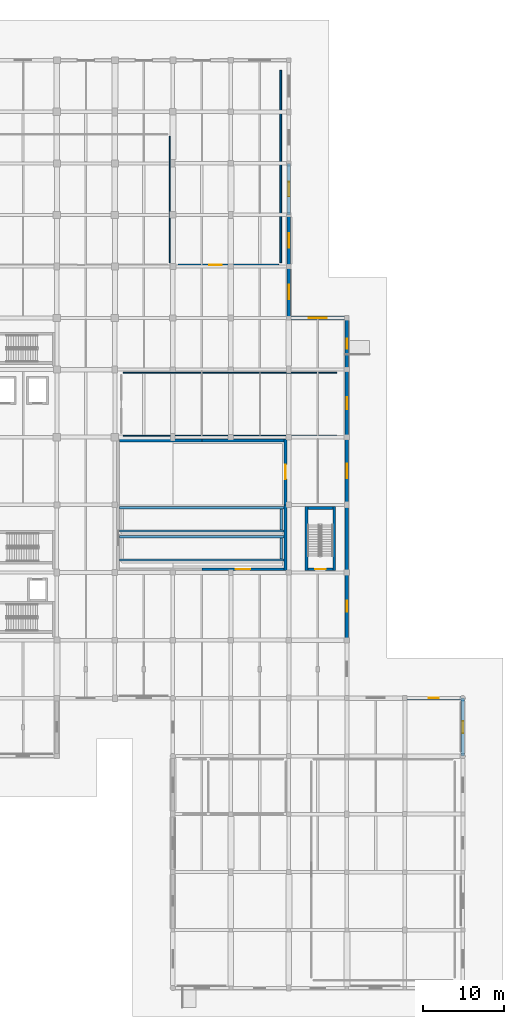
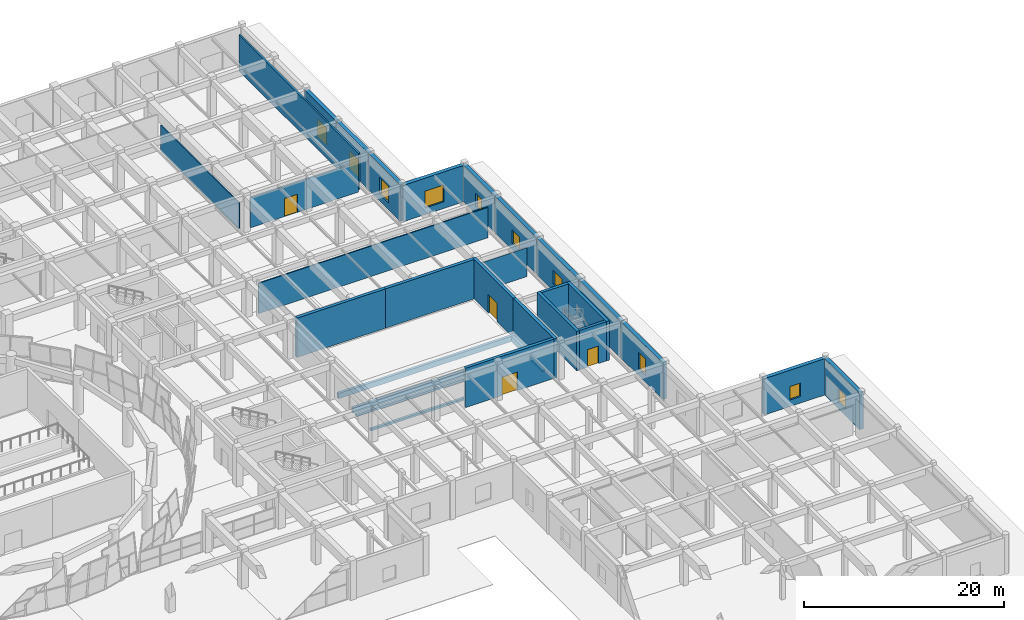
# One storey, part 53 of 72: 31 walls, 8 windows, 6 doors, 14 openings.
"""IFC4 building model written with IfcOpenShell, lengths in metres."""

from ifc_helpers import new_model, si_unit, direction, frame, frame_2d, origin, place, context, subcontext, project, spatial, rectangle, extrude, material, layer, layer_set, type_object, element, fill, save


model = new_model("IFC4")

# Units and contexts
model_context = context("Model", 3, precision=1e-05, world=origin(), true_north=direction((0.0, 1.0)))
body_context = subcontext(model_context, "Body", "Model", "MODEL_VIEW")
ifc_project = project(units=[si_unit("LENGTHUNIT", "METRE"), si_unit("AREAUNIT", "SQUARE_METRE"), si_unit("VOLUMEUNIT", "CUBIC_METRE"), si_unit("PLANEANGLEUNIT", "RADIAN"), si_unit("MASSUNIT", "GRAM", prefix="KILO")], contexts=[model_context])

# Site, building, storey
site_placement = place(None, origin())
site = spatial("IfcSite", under=ifc_project, at=site_placement, CompositionType="ELEMENT")
building_placement = place(site_placement, origin())
building = spatial("IfcBuilding", under=site, at=building_placement, Name="Korsvaeld Concert Hall", CompositionType="ELEMENT")
storey_placement = place(building_placement, origin())
storey = spatial("IfcBuildingStorey", under=building, at=storey_placement, Name="L00", CompositionType="ELEMENT", Elevation=0.0)

# Wall, opening, door
ifc_material_1 = material(Name="Concrete C40/50", Category="concrete")
ifc_layer_1 = layer(ifc_material_1, 0.340087890625)
ifc_layer_set_1 = layer_set([ifc_layer_1], Name="Concrete C40/50")
wall_type_1 = type_object("IfcWallType", Name="WL-CORE-340", PredefinedType="SHEAR", material=ifc_layer_set_1)
wall_1_placement = place(storey_placement, frame((148.77001953125, 52.0, 0.0), z_axis=(0.0, 0.0, 1.0), x_axis=(1.0, 0.0, 0.0)))
wall_1 = element("IfcWall", 1, at=wall_1_placement, inside=storey, type_object=wall_type_1, Name="Core V2S shear wall L00 S", PredefinedType="SHEAR", context=body_context, shape_type="SweptSolid", body=[
    extrude(rectangle(XDim=3.10009765625, YDim=0.340087890625, at=frame_2d((1.550048828125, 0.0))), origin(), (0.0, 0.0, 1.0), 4.800048828125),
])
opening_1_placement = place(wall_1_placement, frame((0.89990234375, 0.0, 0.0)))
opening_1 = element("IfcOpeningElement", 2, at=opening_1_placement, cuts=wall_1, Name="Opening FD-01", PredefinedType="OPENING", context=body_context, shape_type="SweptSolid", body=[
    extrude(rectangle(XDim=1.300048828125, YDim=2.14990234375, at=frame_2d((0.64990234375, 1.074951171875))), frame((0.0, 0.18017578125, 0.0), z_axis=(0.0, -1.0, 0.0), x_axis=(1.0, 0.0, 0.0)), (0.0, 0.0, 1.0), 0.360107421875),
])
ifc_material_2 = material(Name="Acoustic steel and oak fire door", Category="steel")
door_type_1 = type_object("IfcDoorType", Name="DR-FD-STAIR-130x215", OperationType="NOTDEFINED", PredefinedType="DOOR", material=ifc_material_2)
door_1_placement = place(opening_1_placement, frame((1.300048828125, 0.0, 0.0), z_axis=(0.0, 0.0, 1.0), x_axis=(-1.0, 0.0, 0.0)))
door_1 = element("IfcDoor", 3, at=door_1_placement, inside=storey, type_object=door_type_1, Name="Escape stair ST-F4 fire door L00", OperationType="SINGLE_SWING_RIGHT", OverallHeight=2.14990234375, OverallWidth=1.300048828125, PredefinedType="DOOR", context=body_context, shape_type="SweptSolid", body=[
    extrude(rectangle(XDim=1.300048828125, YDim=2.14990234375, at=frame_2d((0.64990234375, 1.074951171875))), frame((0.0, 0.02490234375, 0.0), z_axis=(0.0, -1.0, 0.0), x_axis=(1.0, 0.0, 0.0)), (0.0, 0.0, 1.0), 0.050048828125),
])
fill(opening_1, door_1)

# Walls
wall_2_placement = place(storey_placement, frame((152.0400390625, 51.830078125, 0.0), z_axis=(0.0, 0.0, 1.0), x_axis=(0.0, 1.0, 0.0)))
element("IfcWall", 4, at=wall_2_placement, inside=storey, type_object=wall_type_1, Name="Core V2S shear wall L00 E", PredefinedType="SHEAR", context=body_context, shape_type="SweptSolid", body=[
    extrude(rectangle(XDim=7.93994140625, YDim=0.340087890625, at=frame_2d((3.969970703125, 0.0))), origin(), (0.0, 0.0, 1.0), 4.800048828125),
])
wall_3_placement = place(storey_placement, frame((151.8701171875, 59.60009765625, 0.0), z_axis=(0.0, 0.0, 1.0), x_axis=(-1.0, 0.0, 0.0)))
element("IfcWall", 5, at=wall_3_placement, inside=storey, type_object=wall_type_1, Name="Core V2S shear wall L00 N", PredefinedType="SHEAR", context=body_context, shape_type="SweptSolid", body=[
    extrude(rectangle(XDim=3.10009765625, YDim=0.340087890625, at=frame_2d((1.550048828125, 0.0))), origin(), (0.0, 0.0, 1.0), 4.800048828125),
])
wall_4_placement = place(storey_placement, frame((148.60009765625, 59.77001953125, 0.0), z_axis=(0.0, 0.0, 1.0), x_axis=(0.0, -1.0, 0.0)))
element("IfcWall", 6, at=wall_4_placement, inside=storey, type_object=wall_type_1, Name="Core V2S shear wall L00 W", PredefinedType="SHEAR", context=body_context, shape_type="SweptSolid", body=[
    extrude(rectangle(XDim=7.93994140625, YDim=0.340087890625, at=frame_2d((3.969970703125, 0.0))), origin(), (0.0, 0.0, 1.0), 4.800048828125),
])

# Wall, opening, door
ifc_material_3 = material(Name="Coastal dark grey granite plinth on Concrete C35/45", Category="masonry")
ifc_layer_2 = layer(ifc_material_3, 0.43994140625)
ifc_layer_set_2 = layer_set([ifc_layer_2], Name="Coastal dark grey granite plinth on Concrete C35/45")
wall_type_2 = type_object("IfcWallType", Name="WL-EXT-GRAN-440", PredefinedType="STANDARD", material=ifc_layer_set_2)
wall_5_placement = place(storey_placement, frame((146.39990234375, 102.39990234375, 0.0), z_axis=(0.0, 0.0, 1.0), x_axis=(0.0, -1.0, 0.0)))
wall_5 = element("IfcWall", 7, at=wall_5_placement, inside=storey, type_object=wall_type_2, Name="Exterior sandstone wall L00-087", PredefinedType="STANDARD", context=body_context, shape_type="SweptSolid", body=[
    extrude(rectangle(XDim=6.39990234375, YDim=0.43994140625, at=frame_2d((3.199951171875, 0.0))), origin(), (0.0, 0.0, 1.0), 4.43994140625),
])
opening_2_placement = place(wall_5_placement, frame((2.300048828125, 0.0, 0.0)))
opening_2 = element("IfcOpeningElement", 8, at=opening_2_placement, cuts=wall_5, Name="Opening GT-02", PredefinedType="OPENING", context=body_context, shape_type="SweptSolid", body=[
    extrude(rectangle(XDim=1.800048828125, YDim=2.199951171875, at=frame_2d((0.89990234375, 1.10009765625))), frame((0.0, 0.22998046875, 0.0), z_axis=(0.0, -1.0, 0.0), x_axis=(1.0, 0.0, 0.0)), (0.0, 0.0, 1.0), 0.4599609375),
])
ifc_material_4 = material(Name="Anodised bronze cycle hub gate")
door_type_2 = type_object("IfcDoorType", Name="DR-GATE-180x220", OperationType="DOUBLE_DOOR_SINGLE_SWING", PredefinedType="GATE", material=ifc_material_4)
door_2_placement = place(opening_2_placement, frame((1.800048828125, 0.0, 0.0), z_axis=(0.0, 0.0, 1.0), x_axis=(-1.0, 0.0, 0.0)))
door_2 = element("IfcDoor", 9, at=door_2_placement, inside=storey, type_object=door_type_2, Name="Cycle hub and service court gate GT-05", OperationType="DOUBLE_DOOR_SINGLE_SWING", OverallHeight=2.199951171875, OverallWidth=1.800048828125, PredefinedType="GATE", context=body_context, shape_type="SweptSolid", body=[
    extrude(rectangle(XDim=1.800048828125, YDim=2.199951171875, at=frame_2d((0.89990234375, 1.10009765625))), frame((0.0, 0.02490234375, 0.0), z_axis=(0.0, -1.0, 0.0), x_axis=(1.0, 0.0, 0.0)), (0.0, 0.0, 1.0), 0.050048828125),
])
fill(opening_2, door_2)

wall_6_placement = place(storey_placement, frame((146.39990234375, 96.0, 0.0), z_axis=(0.0, 0.0, 1.0), x_axis=(0.0, -1.0, 0.0)))
wall_6 = element("IfcWall", 10, at=wall_6_placement, inside=storey, type_object=wall_type_2, Name="Exterior sandstone wall L00-088", PredefinedType="STANDARD", context=body_context, shape_type="SweptSolid", body=[
    extrude(rectangle(XDim=6.39990234375, YDim=0.43994140625, at=frame_2d((3.199951171875, 0.0))), origin(), (0.0, 0.0, 1.0), 4.43994140625),
])
opening_3_placement = place(wall_6_placement, frame((2.300048828125, 0.0, 0.0)))
opening_3 = element("IfcOpeningElement", 11, at=opening_3_placement, cuts=wall_6, Name="Opening GT-02", PredefinedType="OPENING", context=body_context, shape_type="SweptSolid", body=[
    extrude(rectangle(XDim=1.800048828125, YDim=2.199951171875, at=frame_2d((0.89990234375, 1.10009765625))), frame((0.0, 0.22998046875, 0.0), z_axis=(0.0, -1.0, 0.0), x_axis=(1.0, 0.0, 0.0)), (0.0, 0.0, 1.0), 0.4599609375),
])
door_3_placement = place(opening_3_placement, frame((1.800048828125, 0.0, 0.0), z_axis=(0.0, 0.0, 1.0), x_axis=(-1.0, 0.0, 0.0)))
door_3 = element("IfcDoor", 12, at=door_3_placement, inside=storey, type_object=door_type_2, Name="Cycle hub and service court gate GT-06", OperationType="DOUBLE_DOOR_SINGLE_SWING", OverallHeight=2.199951171875, OverallWidth=1.800048828125, PredefinedType="GATE", context=body_context, shape_type="SweptSolid", body=[
    extrude(rectangle(XDim=1.800048828125, YDim=2.199951171875, at=frame_2d((0.89990234375, 1.10009765625))), frame((0.0, 0.02490234375, 0.0), z_axis=(0.0, -1.0, 0.0), x_axis=(1.0, 0.0, 0.0)), (0.0, 0.0, 1.0), 0.050048828125),
])
fill(opening_3, door_3)

# Wall, opening, window
wall_7_placement = place(storey_placement, frame((146.39990234375, 89.60009765625, 0.0), z_axis=(0.0, 0.0, 1.0), x_axis=(0.0, -1.0, 0.0)))
wall_7 = element("IfcWall", 13, at=wall_7_placement, inside=storey, type_object=wall_type_2, Name="Exterior sandstone wall L00-089", PredefinedType="STANDARD", context=body_context, shape_type="SweptSolid", body=[
    extrude(rectangle(XDim=6.400146484375, YDim=0.43994140625, at=frame_2d((3.2001953125, 0.0))), origin(), (0.0, 0.0, 1.0), 4.43994140625),
])
opening_4_placement = place(wall_7_placement, frame((2.300048828125, 0.0, 0.800048828125)))
opening_4 = element("IfcOpeningElement", 14, at=opening_4_placement, cuts=wall_7, Name="Opening WN-12", PredefinedType="OPENING", context=body_context, shape_type="SweptSolid", body=[
    extrude(rectangle(XDim=1.800048828125, YDim=2.050048828125, at=frame_2d((0.89990234375, 1.02490234375))), frame((0.0, 0.22998046875, 0.0), z_axis=(0.0, -1.0, 0.0), x_axis=(1.0, 0.0, 0.0)), (0.0, 0.0, 1.0), 0.4599609375),
])
ifc_material_5 = material(Name="Anodised bronze frame with acoustic triple glazing", Category="glass")
window_type_1 = type_object("IfcWindowType", Name="WIN-AC-180x205", PartitioningType="SINGLE_PANEL", PredefinedType="WINDOW", material=ifc_material_5)
window_1_placement = place(opening_4_placement, origin())
window_1 = element("IfcWindow", 15, at=window_1_placement, inside=storey, type_object=window_type_1, Name="Acoustic triple-glazed window L00-001", OverallHeight=2.050048828125, OverallWidth=1.800048828125, PartitioningType="SINGLE_PANEL", PredefinedType="WINDOW", context=body_context, shape_type="SweptSolid", body=[
    extrude(rectangle(XDim=1.800048828125, YDim=2.050048828125, at=frame_2d((0.89990234375, 1.02490234375))), frame((0.0, 0.030029296875, 0.0), z_axis=(0.0, -1.0, 0.0), x_axis=(1.0, 0.0, 0.0)), (0.0, 0.0, 1.0), 0.06005859375),
])
fill(opening_4, window_1)

wall_8_placement = place(storey_placement, frame((146.39990234375, 83.199951171875, 0.0), z_axis=(0.0, 0.0, 1.0), x_axis=(1.0, 0.0, 0.0)))
wall_8 = element("IfcWall", 16, at=wall_8_placement, inside=storey, type_object=wall_type_2, Name="Exterior sandstone wall L00-090", PredefinedType="STANDARD", context=body_context, shape_type="SweptSolid", body=[
    extrude(rectangle(XDim=7.2001953125, YDim=0.43994140625, at=frame_2d((3.60009765625, 0.0))), origin(), (0.0, 0.0, 1.0), 4.43994140625),
])
opening_5_placement = place(wall_8_placement, frame((2.5, 0.0, 0.800048828125)))
opening_5 = element("IfcOpeningElement", 17, at=opening_5_placement, cuts=wall_8, Name="Opening WN-13", PredefinedType="OPENING", context=body_context, shape_type="SweptSolid", body=[
    extrude(rectangle(XDim=2.199951171875, YDim=2.050048828125, at=frame_2d((1.10009765625, 1.02490234375))), frame((0.0, 0.22998046875, 0.0), z_axis=(0.0, -1.0, 0.0), x_axis=(1.0, 0.0, 0.0)), (0.0, 0.0, 1.0), 0.4599609375),
])
window_type_2 = type_object("IfcWindowType", Name="WIN-AC-220x205", PartitioningType="SINGLE_PANEL", PredefinedType="WINDOW", material=ifc_material_5)
window_2_placement = place(opening_5_placement, origin())
window_2 = element("IfcWindow", 18, at=window_2_placement, inside=storey, type_object=window_type_2, Name="Acoustic triple-glazed window L00-002", OverallHeight=2.050048828125, OverallWidth=2.199951171875, PartitioningType="SINGLE_PANEL", PredefinedType="WINDOW", context=body_context, shape_type="SweptSolid", body=[
    extrude(rectangle(XDim=2.199951171875, YDim=2.050048828125, at=frame_2d((1.10009765625, 1.02490234375))), frame((0.0, 0.030029296875, 0.0), z_axis=(0.0, -1.0, 0.0), x_axis=(1.0, 0.0, 0.0)), (0.0, 0.0, 1.0), 0.06005859375),
])
fill(opening_5, window_2)

wall_9_placement = place(storey_placement, frame((153.60009765625, 83.199951171875, 0.0), z_axis=(0.0, 0.0, 1.0), x_axis=(0.0, -1.0, 0.0)))
wall_9 = element("IfcWall", 19, at=wall_9_placement, inside=storey, type_object=wall_type_2, Name="Exterior sandstone wall L00-091", PredefinedType="STANDARD", context=body_context, shape_type="SweptSolid", body=[
    extrude(rectangle(XDim=6.39990234375, YDim=0.43994140625, at=frame_2d((3.199951171875, 0.0))), origin(), (0.0, 0.0, 1.0), 4.43994140625),
])
opening_6_placement = place(wall_9_placement, frame((2.60009765625, 0.0, 0.800048828125)))
opening_6 = element("IfcOpeningElement", 20, at=opening_6_placement, cuts=wall_9, Name="Opening WN-01", PredefinedType="OPENING", context=body_context, shape_type="SweptSolid", body=[
    extrude(rectangle(XDim=1.199951171875, YDim=1.64990234375, at=frame_2d((0.60009765625, 0.824951171875))), frame((0.0, 0.22998046875, 0.0), z_axis=(0.0, -1.0, 0.0), x_axis=(1.0, 0.0, 0.0)), (0.0, 0.0, 1.0), 0.4599609375),
])
window_type_3 = type_object("IfcWindowType", Name="WIN-AC-120x165", PartitioningType="SINGLE_PANEL", PredefinedType="WINDOW", material=ifc_material_5)
window_3_placement = place(opening_6_placement, origin())
window_3 = element("IfcWindow", 21, at=window_3_placement, inside=storey, type_object=window_type_3, Name="Acoustic triple-glazed window L00-003", OverallHeight=1.64990234375, OverallWidth=1.199951171875, PartitioningType="SINGLE_PANEL", PredefinedType="WINDOW", context=body_context, shape_type="SweptSolid", body=[
    extrude(rectangle(XDim=1.199951171875, YDim=1.64990234375, at=frame_2d((0.60009765625, 0.824951171875))), frame((0.0, 0.030029296875, 0.0), z_axis=(0.0, -1.0, 0.0), x_axis=(1.0, 0.0, 0.0)), (0.0, 0.0, 1.0), 0.06005859375),
])
fill(opening_6, window_3)

wall_10_placement = place(storey_placement, frame((153.60009765625, 76.800048828125, 0.0), z_axis=(0.0, 0.0, 1.0), x_axis=(0.0, -1.0, 0.0)))
wall_10 = element("IfcWall", 22, at=wall_10_placement, inside=storey, type_object=wall_type_2, Name="Exterior sandstone wall L00-092", PredefinedType="STANDARD", context=body_context, shape_type="SweptSolid", body=[
    extrude(rectangle(XDim=8.400146484375, YDim=0.43994140625, at=frame_2d((4.2001953125, 0.0))), origin(), (0.0, 0.0, 1.0), 4.43994140625),
])
opening_7_placement = place(wall_10_placement, frame((3.449951171875, 0.0, 0.800048828125)))
opening_7 = element("IfcOpeningElement", 23, at=opening_7_placement, cuts=wall_10, Name="Opening WN-02", PredefinedType="OPENING", context=body_context, shape_type="SweptSolid", body=[
    extrude(rectangle(XDim=1.5, YDim=1.64990234375, at=frame_2d((0.75, 0.824951171875))), frame((0.0, 0.22998046875, 0.0), z_axis=(0.0, -1.0, 0.0), x_axis=(1.0, 0.0, 0.0)), (0.0, 0.0, 1.0), 0.4599609375),
])
window_type_4 = type_object("IfcWindowType", Name="WIN-AC-150x165", PartitioningType="SINGLE_PANEL", PredefinedType="WINDOW", material=ifc_material_5)
window_4_placement = place(opening_7_placement, origin())
window_4 = element("IfcWindow", 24, at=window_4_placement, inside=storey, type_object=window_type_4, Name="Acoustic triple-glazed window L00-004", OverallHeight=1.64990234375, OverallWidth=1.5, PartitioningType="SINGLE_PANEL", PredefinedType="WINDOW", context=body_context, shape_type="SweptSolid", body=[
    extrude(rectangle(XDim=1.5, YDim=1.64990234375, at=frame_2d((0.75, 0.824951171875))), frame((0.0, 0.030029296875, 0.0), z_axis=(0.0, -1.0, 0.0), x_axis=(1.0, 0.0, 0.0)), (0.0, 0.0, 1.0), 0.06005859375),
])
fill(opening_7, window_4)

wall_11_placement = place(storey_placement, frame((153.60009765625, 68.39990234375, 0.0), z_axis=(0.0, 0.0, 1.0), x_axis=(0.0, -1.0, 0.0)))
wall_11 = element("IfcWall", 25, at=wall_11_placement, inside=storey, type_object=wall_type_2, Name="Exterior sandstone wall L00-093", PredefinedType="STANDARD", context=body_context, shape_type="SweptSolid", body=[
    extrude(rectangle(XDim=8.39990234375, YDim=0.43994140625, at=frame_2d((4.199951171875, 0.0))), origin(), (0.0, 0.0, 1.0), 4.43994140625),
])
opening_8_placement = place(wall_11_placement, frame((3.300048828125, 0.0, 0.800048828125)))
opening_8 = element("IfcOpeningElement", 26, at=opening_8_placement, cuts=wall_11, Name="Opening WN-03", PredefinedType="OPENING", context=body_context, shape_type="SweptSolid", body=[
    extrude(rectangle(XDim=1.800048828125, YDim=1.64990234375, at=frame_2d((0.89990234375, 0.824951171875))), frame((0.0, 0.22998046875, 0.0), z_axis=(0.0, -1.0, 0.0), x_axis=(1.0, 0.0, 0.0)), (0.0, 0.0, 1.0), 0.4599609375),
])
window_type_5 = type_object("IfcWindowType", Name="WIN-AC-180x165", PartitioningType="SINGLE_PANEL", PredefinedType="WINDOW", material=ifc_material_5)
window_5_placement = place(opening_8_placement, origin())
window_5 = element("IfcWindow", 27, at=window_5_placement, inside=storey, type_object=window_type_5, Name="Acoustic triple-glazed window L00-005", OverallHeight=1.64990234375, OverallWidth=1.800048828125, PartitioningType="SINGLE_PANEL", PredefinedType="WINDOW", context=body_context, shape_type="SweptSolid", body=[
    extrude(rectangle(XDim=1.800048828125, YDim=1.64990234375, at=frame_2d((0.89990234375, 0.824951171875))), frame((0.0, 0.030029296875, 0.0), z_axis=(0.0, -1.0, 0.0), x_axis=(1.0, 0.0, 0.0)), (0.0, 0.0, 1.0), 0.06005859375),
])
fill(opening_8, window_5)

# Wall
wall_12_placement = place(storey_placement, frame((153.60009765625, 60.0, 0.0), z_axis=(0.0, 0.0, 1.0), x_axis=(0.0, -1.0, 0.0)))
element("IfcWall", 28, at=wall_12_placement, inside=storey, type_object=wall_type_2, Name="Exterior sandstone wall L00-094", PredefinedType="STANDARD", context=body_context, shape_type="SweptSolid", body=[
    extrude(rectangle(XDim=8.39990234375, YDim=0.43994140625, at=frame_2d((4.199951171875, 0.0))), origin(), (0.0, 0.0, 1.0), 4.43994140625),
])

# Wall, opening, window
wall_13_placement = place(storey_placement, frame((153.60009765625, 51.60009765625, 0.0), z_axis=(0.0, 0.0, 1.0), x_axis=(0.0, -1.0, 0.0)))
wall_13 = element("IfcWall", 29, at=wall_13_placement, inside=storey, type_object=wall_type_2, Name="Exterior sandstone wall L00-095", PredefinedType="STANDARD", context=body_context, shape_type="SweptSolid", body=[
    extrude(rectangle(XDim=8.400146484375, YDim=0.43994140625, at=frame_2d((4.2001953125, 0.0))), origin(), (0.0, 0.0, 1.0), 4.43994140625),
])
opening_9_placement = place(wall_13_placement, frame((3.5, 0.0, 0.800048828125)))
opening_9 = element("IfcOpeningElement", 30, at=opening_9_placement, cuts=wall_13, Name="Opening WN-11", PredefinedType="OPENING", context=body_context, shape_type="SweptSolid", body=[
    extrude(rectangle(XDim=1.39990234375, YDim=2.050048828125, at=frame_2d((0.699951171875, 1.02490234375))), frame((0.0, 0.22998046875, 0.0), z_axis=(0.0, -1.0, 0.0), x_axis=(1.0, 0.0, 0.0)), (0.0, 0.0, 1.0), 0.4599609375),
])
window_type_6 = type_object("IfcWindowType", Name="WIN-AC-140x205", PartitioningType="SINGLE_PANEL", PredefinedType="WINDOW", material=ifc_material_5)
window_6_placement = place(opening_9_placement, origin())
window_6 = element("IfcWindow", 31, at=window_6_placement, inside=storey, type_object=window_type_6, Name="Acoustic triple-glazed window L00-006", OverallHeight=2.050048828125, OverallWidth=1.39990234375, PartitioningType="SINGLE_PANEL", PredefinedType="WINDOW", context=body_context, shape_type="SweptSolid", body=[
    extrude(rectangle(XDim=1.39990234375, YDim=2.050048828125, at=frame_2d((0.699951171875, 1.02490234375))), frame((0.0, 0.030029296875, 0.0), z_axis=(0.0, -1.0, 0.0), x_axis=(1.0, 0.0, 0.0)), (0.0, 0.0, 1.0), 0.06005859375),
])
fill(opening_9, window_6)

wall_14_placement = place(storey_placement, frame((160.800048828125, 36.0, 0.0), z_axis=(0.0, 0.0, 1.0), x_axis=(1.0, 0.0, 0.0)))
wall_14 = element("IfcWall", 32, at=wall_14_placement, inside=storey, type_object=wall_type_2, Name="Exterior sandstone wall L00-098", PredefinedType="STANDARD", context=body_context, shape_type="SweptSolid", body=[
    extrude(rectangle(XDim=7.199951171875, YDim=0.43994140625, at=frame_2d((3.60009765625, 0.0))), origin(), (0.0, 0.0, 1.0), 4.43994140625),
])
opening_10_placement = place(wall_14_placement, frame((3.0, 0.0, 0.800048828125)))
opening_10 = element("IfcOpeningElement", 33, at=opening_10_placement, cuts=wall_14, Name="Opening WN-01", PredefinedType="OPENING", context=body_context, shape_type="SweptSolid", body=[
    extrude(rectangle(XDim=1.199951171875, YDim=1.64990234375, at=frame_2d((0.60009765625, 0.824951171875))), frame((0.0, 0.22998046875, 0.0), z_axis=(0.0, -1.0, 0.0), x_axis=(1.0, 0.0, 0.0)), (0.0, 0.0, 1.0), 0.4599609375),
])
window_7_placement = place(opening_10_placement, origin())
window_7 = element("IfcWindow", 34, at=window_7_placement, inside=storey, type_object=window_type_3, Name="Acoustic triple-glazed window L00-009", OverallHeight=1.64990234375, OverallWidth=1.199951171875, PartitioningType="SINGLE_PANEL", PredefinedType="WINDOW", context=body_context, shape_type="SweptSolid", body=[
    extrude(rectangle(XDim=1.199951171875, YDim=1.64990234375, at=frame_2d((0.60009765625, 0.824951171875))), frame((0.0, 0.030029296875, 0.0), z_axis=(0.0, -1.0, 0.0), x_axis=(1.0, 0.0, 0.0)), (0.0, 0.0, 1.0), 0.06005859375),
])
fill(opening_10, window_7)

wall_15_placement = place(storey_placement, frame((168.0, 36.0, 0.0), z_axis=(0.0, 0.0, 1.0), x_axis=(0.0, -1.0, 0.0)))
wall_15 = element("IfcWall", 35, at=wall_15_placement, inside=storey, type_object=wall_type_2, Name="Exterior sandstone wall L00-099", PredefinedType="STANDARD", context=body_context, shape_type="SweptSolid", body=[
    extrude(rectangle(XDim=7.199951171875, YDim=0.43994140625, at=frame_2d((3.60009765625, 0.0))), origin(), (0.0, 0.0, 1.0), 4.43994140625),
])
opening_11_placement = place(wall_15_placement, frame((2.85009765625, 0.0, 0.800048828125)))
opening_11 = element("IfcOpeningElement", 36, at=opening_11_placement, cuts=wall_15, Name="Opening WN-02", PredefinedType="OPENING", context=body_context, shape_type="SweptSolid", body=[
    extrude(rectangle(XDim=1.5, YDim=1.64990234375, at=frame_2d((0.75, 0.824951171875))), frame((0.0, 0.22998046875, 0.0), z_axis=(0.0, -1.0, 0.0), x_axis=(1.0, 0.0, 0.0)), (0.0, 0.0, 1.0), 0.4599609375),
])
window_8_placement = place(opening_11_placement, origin())
window_8 = element("IfcWindow", 37, at=window_8_placement, inside=storey, type_object=window_type_4, Name="Acoustic triple-glazed window L00-010", OverallHeight=1.64990234375, OverallWidth=1.5, PartitioningType="SINGLE_PANEL", PredefinedType="WINDOW", context=body_context, shape_type="SweptSolid", body=[
    extrude(rectangle(XDim=1.5, YDim=1.64990234375, at=frame_2d((0.75, 0.824951171875))), frame((0.0, 0.030029296875, 0.0), z_axis=(0.0, -1.0, 0.0), x_axis=(1.0, 0.0, 0.0)), (0.0, 0.0, 1.0), 0.06005859375),
])
fill(opening_11, window_8)

# Wall, opening, door
ifc_material_6 = material(Name="Double acoustic gypsum fire compartment wall")
ifc_layer_3 = layer(ifc_material_6, 0.199951171875)
ifc_layer_set_3 = layer_set([ifc_layer_3], Name="Double acoustic gypsum fire compartment wall")
wall_type_3 = type_object("IfcWallType", Name="WL-FIRE-200", PredefinedType="PARTITIONING", material=ifc_layer_set_3)
wall_16_placement = place(storey_placement, frame((132.659912109375, 89.800048828125, 0.0), z_axis=(0.0, 0.0, 1.0), x_axis=(1.0, 0.0, 0.0)))
wall_16 = element("IfcWall", 38, at=wall_16_placement, inside=storey, type_object=wall_type_3, Name="Interior partition L00-26 S", PredefinedType="PARTITIONING", context=body_context, shape_type="SweptSolid", body=[
    extrude(rectangle(XDim=12.47998046875, YDim=0.199951171875, at=frame_2d((6.239990234375, 0.0))), origin(), (0.0, 0.0, 1.0), 3.6650390625),
])
opening_12_placement = place(wall_16_placement, frame((3.889892578125, 0.0, 0.0)))
opening_12 = element("IfcOpeningElement", 39, at=opening_12_placement, cuts=wall_16, Name="Opening FD-07", PredefinedType="OPENING", context=body_context, shape_type="SweptSolid", body=[
    extrude(rectangle(XDim=1.5, YDim=2.199951171875, at=frame_2d((0.75, 1.10009765625))), frame((0.0, 0.10986328125, 0.0), z_axis=(0.0, -1.0, 0.0), x_axis=(1.0, 0.0, 0.0)), (0.0, 0.0, 1.0), 0.219970703125),
])
ifc_material_7 = material(Name="Acoustic steel plant fire door", Category="steel")
door_type_3 = type_object("IfcDoorType", Name="DR-FD-PLANT-150x220", OperationType="DOUBLE_DOOR_SINGLE_SWING", PredefinedType="DOOR", material=ifc_material_7)
door_4_placement = place(opening_12_placement, origin())
door_4 = element("IfcDoor", 40, at=door_4_placement, inside=storey, type_object=door_type_3, Name="Ground Covered Cycle Hub Entrance door L00-26", OperationType="DOUBLE_DOOR_SINGLE_SWING", OverallHeight=2.199951171875, OverallWidth=1.5, PredefinedType="DOOR", context=body_context, shape_type="SweptSolid", body=[
    extrude(rectangle(XDim=1.5, YDim=2.199951171875, at=frame_2d((0.75, 1.10009765625))), frame((0.0, 0.02490234375, 0.0), z_axis=(0.0, -1.0, 0.0), x_axis=(1.0, 0.0, 0.0)), (0.0, 0.0, 1.0), 0.050048828125),
])
fill(opening_12, door_4)

# Wall
wall_17_placement = place(storey_placement, frame((145.39990234375, 90.06005859375, 0.0), z_axis=(0.0, 0.0, 1.0), x_axis=(0.0, 1.0, 0.0)))
element("IfcWall", 41, at=wall_17_placement, inside=storey, type_object=wall_type_3, Name="Interior partition L00-26 E", PredefinedType="PARTITIONING", context=body_context, shape_type="SweptSolid", body=[
    extrude(rectangle(XDim=23.8798828125, YDim=0.199951171875, at=frame_2d((11.93994140625, 0.0))), origin(), (0.0, 0.0, 1.0), 4.43994140625),
])

# Wall, opening, door
ifc_material_8 = material(Name="Bornholm Nexo crimson sandstone on Concrete C40/50", Category="masonry")
ifc_layer_4 = layer(ifc_material_8, 0.360107421875)
ifc_layer_set_4 = layer_set([ifc_layer_4], Name="Bornholm Nexo crimson sandstone on Concrete C40/50")
wall_type_4 = type_object("IfcWallType", Name="WL-HALL-360", PredefinedType="SHEAR", material=ifc_layer_set_4)
wall_18_placement = place(storey_placement, frame((135.60009765625, 52.0, 0.0), z_axis=(0.0, 0.0, 1.0), x_axis=(1.0, 0.0, 0.0)))
wall_18 = element("IfcWall", 42, at=wall_18_placement, inside=storey, type_object=wall_type_4, Name="Acoustic hall box wall V2H L00 S.2", PredefinedType="SHEAR", context=body_context, shape_type="SweptSolid", body=[
    extrude(rectangle(XDim=10.219970703125, YDim=0.360107421875, at=frame_2d((5.10986328125, 0.0))), origin(), (0.0, 0.0, 1.0), 4.800048828125),
])
opening_13_placement = place(wall_18_placement, frame((4.2099609375, 0.0, 0.0)))
opening_13 = element("IfcOpeningElement", 43, at=opening_13_placement, cuts=wall_18, Name="Opening FD-03", PredefinedType="OPENING", context=body_context, shape_type="SweptSolid", body=[
    extrude(rectangle(XDim=1.800048828125, YDim=2.25, at=frame_2d((0.89990234375, 1.125))), frame((0.0, 0.18994140625, 0.0), z_axis=(0.0, -1.0, 0.0), x_axis=(1.0, 0.0, 0.0)), (0.0, 0.0, 1.0), 0.380126953125),
])
ifc_material_9 = material(Name="Double acoustic oak sound-lock fire door")
door_type_4 = type_object("IfcDoorType", Name="DR-FD-HALL-180x225", OperationType="DOUBLE_DOOR_SINGLE_SWING", PredefinedType="DOOR", material=ifc_material_9)
door_5_placement = place(opening_13_placement, frame((1.800048828125, 0.0, 0.0), z_axis=(0.0, 0.0, 1.0), x_axis=(-1.0, 0.0, 0.0)))
door_5 = element("IfcDoor", 44, at=door_5_placement, inside=storey, type_object=door_type_4, Name="Auditorium sound-lock fire door V2H L00 S.2", OperationType="DOUBLE_DOOR_SINGLE_SWING", OverallHeight=2.25, OverallWidth=1.800048828125, PredefinedType="DOOR", context=body_context, shape_type="SweptSolid", body=[
    extrude(rectangle(XDim=1.800048828125, YDim=2.25, at=frame_2d((0.89990234375, 1.125))), frame((0.0, 0.02490234375, 0.0), z_axis=(0.0, -1.0, 0.0), x_axis=(1.0, 0.0, 0.0)), (0.0, 0.0, 1.0), 0.050048828125),
])
fill(opening_13, door_5)

# Wall
wall_19_placement = place(storey_placement, frame((146.0, 51.820068359375, 0.0), z_axis=(0.0, 0.0, 1.0), x_axis=(0.0, 1.0, 0.0)))
element("IfcWall", 45, at=wall_19_placement, inside=storey, type_object=wall_type_4, Name="Acoustic hall box wall V2H L00 E.1", PredefinedType="SHEAR", context=body_context, shape_type="SweptSolid", body=[
    extrude(rectangle(XDim=8.179931640625, YDim=0.360107421875, at=frame_2d((4.08984375, 0.0))), origin(), (0.0, 0.0, 1.0), 4.800048828125),
])

# Wall, opening, door
wall_20_placement = place(storey_placement, frame((146.0, 60.0, 0.0), z_axis=(0.0, 0.0, 1.0), x_axis=(0.0, 1.0, 0.0)))
wall_20 = element("IfcWall", 46, at=wall_20_placement, inside=storey, type_object=wall_type_4, Name="Acoustic hall box wall V2H L00 E.2", PredefinedType="SHEAR", context=body_context, shape_type="SweptSolid", body=[
    extrude(rectangle(XDim=8.179931640625, YDim=0.360107421875, at=frame_2d((4.08984375, 0.0))), origin(), (0.0, 0.0, 1.0), 4.800048828125),
])
opening_14_placement = place(wall_20_placement, frame((3.18994140625, 0.0, 0.0)))
opening_14 = element("IfcOpeningElement", 47, at=opening_14_placement, cuts=wall_20, Name="Opening FD-03", PredefinedType="OPENING", context=body_context, shape_type="SweptSolid", body=[
    extrude(rectangle(XDim=1.800048828125, YDim=2.25, at=frame_2d((0.89990234375, 1.125))), frame((0.0, 0.18994140625, 0.0), z_axis=(0.0, -1.0, 0.0), x_axis=(1.0, 0.0, 0.0)), (0.0, 0.0, 1.0), 0.380126953125),
])
door_6_placement = place(opening_14_placement, frame((1.800048828125, 0.0, 0.0), z_axis=(0.0, 0.0, 1.0), x_axis=(-1.0, 0.0, 0.0)))
door_6 = element("IfcDoor", 48, at=door_6_placement, inside=storey, type_object=door_type_4, Name="Auditorium sound-lock fire door V2H L00 E.2", OperationType="DOUBLE_DOOR_SINGLE_SWING", OverallHeight=2.25, OverallWidth=1.800048828125, PredefinedType="DOOR", context=body_context, shape_type="SweptSolid", body=[
    extrude(rectangle(XDim=1.800048828125, YDim=2.25, at=frame_2d((0.89990234375, 1.125))), frame((0.0, 0.02490234375, 0.0), z_axis=(0.0, -1.0, 0.0), x_axis=(1.0, 0.0, 0.0)), (0.0, 0.0, 1.0), 0.050048828125),
])
fill(opening_14, door_6)

# Walls
wall_21_placement = place(storey_placement, frame((145.820068359375, 68.0, 0.0), z_axis=(0.0, 0.0, 1.0), x_axis=(-1.0, 0.0, 0.0)))
element("IfcWall", 49, at=wall_21_placement, inside=storey, type_object=wall_type_4, Name="Acoustic hall box wall V2H L00 N.1", PredefinedType="SHEAR", context=body_context, shape_type="SweptSolid", body=[
    extrude(rectangle(XDim=10.219970703125, YDim=0.360107421875, at=frame_2d((5.10986328125, 0.0))), origin(), (0.0, 0.0, 1.0), 4.800048828125),
])
wall_22_placement = place(storey_placement, frame((135.60009765625, 68.0, 0.0), z_axis=(0.0, 0.0, 1.0), x_axis=(-1.0, 0.0, 0.0)))
element("IfcWall", 50, at=wall_22_placement, inside=storey, type_object=wall_type_4, Name="Acoustic hall box wall V2H L00 N.2", PredefinedType="SHEAR", context=body_context, shape_type="SweptSolid", body=[
    extrude(rectangle(XDim=10.22021484375, YDim=0.360107421875, at=frame_2d((5.110107421875, 0.0))), origin(), (0.0, 0.0, 1.0), 4.800048828125),
])
ifc_material_10 = material(Name="Insulated acoustic gypsum partition")
ifc_layer_5 = layer(ifc_material_10, 0.125)
ifc_layer_set_5 = layer_set([ifc_layer_5], Name="Insulated acoustic gypsum partition")
wall_type_5 = type_object("IfcWallType", Name="WL-PART-125", PredefinedType="PARTITIONING", material=ifc_layer_set_5)
wall_23_placement = place(storey_placement, frame((125.860107421875, 68.60009765625, 0.0), z_axis=(0.0, 0.0, 1.0), x_axis=(1.0, 0.0, 0.0)))
element("IfcWall", 51, at=wall_23_placement, inside=storey, type_object=wall_type_5, Name="Interior partition L00-15 S", PredefinedType="PARTITIONING", context=body_context, shape_type="SweptSolid", body=[
    extrude(rectangle(XDim=26.47998046875, YDim=0.125, at=frame_2d((13.239990234375, 0.0))), origin(), (0.0, 0.0, 1.0), 3.514892578125),
])
wall_24_placement = place(storey_placement, frame((152.340087890625, 76.39990234375, 0.0), z_axis=(0.0, 0.0, 1.0), x_axis=(-1.0, 0.0, 0.0)))
element("IfcWall", 52, at=wall_24_placement, inside=storey, type_object=wall_type_5, Name="Interior partition L00-15 N", PredefinedType="PARTITIONING", context=body_context, shape_type="SweptSolid", body=[
    extrude(rectangle(XDim=26.47998046875, YDim=0.125, at=frame_2d((13.239990234375, 0.0))), origin(), (0.0, 0.0, 1.0), 3.715087890625),
])
wall_25_placement = place(storey_placement, frame((131.60009765625, 90.06005859375, 0.0), z_axis=(0.0, 0.0, 1.0), x_axis=(0.0, 1.0, 0.0)))
element("IfcWall", 53, at=wall_25_placement, inside=storey, type_object=wall_type_5, Name="Interior partition L00-25 E", PredefinedType="PARTITIONING", context=body_context, shape_type="SweptSolid", body=[
    extrude(rectangle(XDim=15.679931640625, YDim=0.125, at=frame_2d((7.83984375, 0.0))), origin(), (0.0, 0.0, 1.0), 3.215087890625),
])
ifc_layer_6 = layer(ifc_material_1, 0.300048828125)
ifc_layer_set_6 = layer_set([ifc_layer_6], Name="Concrete C40/50")
wall_type_6 = type_object("IfcWallType", Name="WL-TIER-300", PredefinedType="SHEAR", material=ifc_layer_set_6)
for number, where, z_axis, x_axis, name in (
    (54, (125.3798828125, 53.14990234375, 0.0), (0.0, 0.0, 1.0), (1.0, 0.0, 0.0), "Seating tier front riser wall V2-STALL-T1"),
    (55, (125.3798828125, 56.050048828125, 0.0), (0.0, 0.0, 1.0), (1.0, 0.0, 0.0), "Seating tier back riser wall V2-STALL-T1"),
):
    element("IfcWall", number, at=place(storey_placement, frame(where, z_axis=z_axis, x_axis=x_axis)), inside=storey, type_object=wall_type_6, Name=name, PredefinedType="SHEAR", context=body_context, shape_type="SweptSolid", body=[
        extrude(rectangle(XDim=20.440185546875, YDim=0.300048828125, at=frame_2d((10.22021484375, 0.0))), origin(), (0.0, 0.0, 1.0), 0.25),
    ])
wall_26_placement = place(storey_placement, frame((145.469970703125, 53.300048828125, 0.0), z_axis=(0.0, 0.0, 1.0), x_axis=(0.0, 1.0, 0.0)))
element("IfcWall", 56, at=wall_26_placement, inside=storey, type_object=wall_type_6, Name="Seating tier east flank wall V2-STALL-T1", PredefinedType="SHEAR", context=body_context, shape_type="SweptSolid", body=[
    extrude(rectangle(XDim=2.599853515625, YDim=0.300048828125, at=frame_2d((1.2998046875, 0.0))), origin(), (0.0, 0.0, 1.0), 0.25),
])
for number, where, z_axis, x_axis, name in (
    (57, (125.3798828125, 56.75, 0.0), (0.0, 0.0, 1.0), (1.0, 0.0, 0.0), "Seating tier front riser wall V2-STALL-T2"),
    (58, (125.3798828125, 59.64990234375, 0.0), (0.0, 0.0, 1.0), (1.0, 0.0, 0.0), "Seating tier back riser wall V2-STALL-T2"),
):
    element("IfcWall", number, at=place(storey_placement, frame(where, z_axis=z_axis, x_axis=x_axis)), inside=storey, type_object=wall_type_6, Name=name, PredefinedType="SHEAR", context=body_context, shape_type="SweptSolid", body=[
        extrude(rectangle(XDim=20.440185546875, YDim=0.300048828125, at=frame_2d((10.22021484375, 0.0))), origin(), (0.0, 0.0, 1.0), 0.64990234375),
    ])
wall_27_placement = place(storey_placement, frame((145.469970703125, 56.89990234375, 0.0), z_axis=(0.0, 0.0, 1.0), x_axis=(0.0, 1.0, 0.0)))
element("IfcWall", 59, at=wall_27_placement, inside=storey, type_object=wall_type_6, Name="Seating tier east flank wall V2-STALL-T2", PredefinedType="SHEAR", context=body_context, shape_type="SweptSolid", body=[
    extrude(rectangle(XDim=2.60009765625, YDim=0.300048828125, at=frame_2d((1.300048828125, 0.0))), origin(), (0.0, 0.0, 1.0), 0.64990234375),
])

save(model, "model.ifc")
